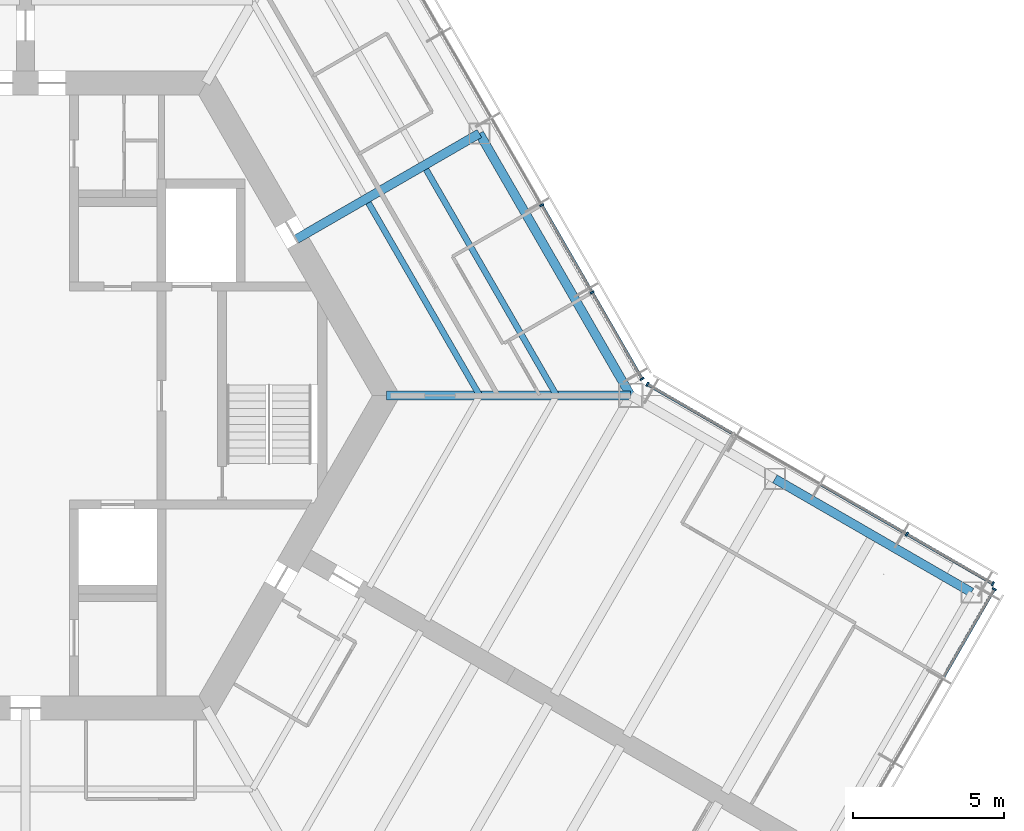
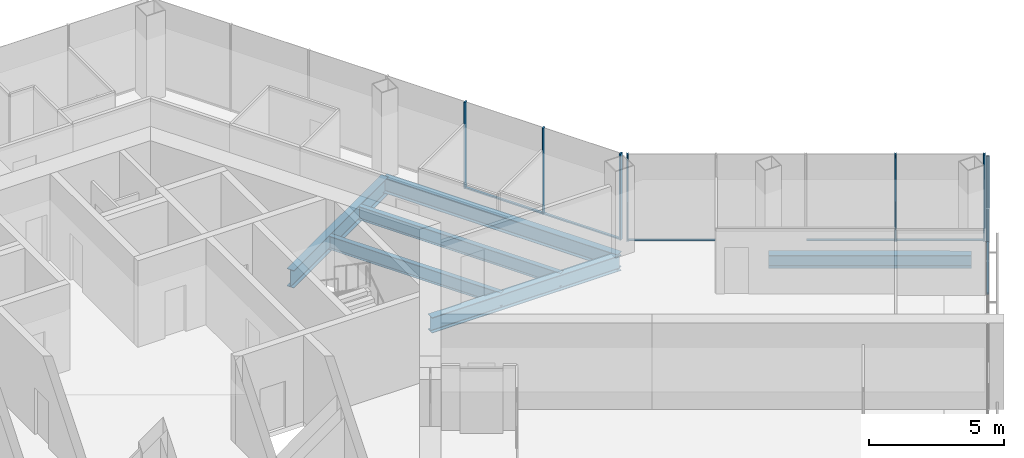
# One storey, part 5 of 17: 13 members, 6 beams, 3 elements without a shape of their own.
"""IFC4 building model written with IfcOpenShell, lengths in metres."""

from ifc_helpers import new_model, si_unit, direction, frame, origin, origin_2d, place, context, subcontext, project, spatial, rectangle, i_section, extrude, material, material_profile, profile_set, type_object, element, aggregate, save


model = new_model("IFC4")

# Units and contexts
model_context = context("Model", 3, precision=1e-05, world=origin(), true_north=direction((0.0, 1.0)))
body_context = subcontext(model_context, "Body", "Model", "MODEL_VIEW")
ifc_project = project(units=[si_unit("LENGTHUNIT", "METRE"), si_unit("AREAUNIT", "SQUARE_METRE"), si_unit("VOLUMEUNIT", "CUBIC_METRE"), si_unit("PLANEANGLEUNIT", "RADIAN"), si_unit("MASSUNIT", "GRAM", prefix="KILO")], contexts=[model_context])

# Site, building, storey
site_placement = place(None, origin())
site = spatial("IfcSite", under=ifc_project, at=site_placement, CompositionType="ELEMENT")
building_placement = place(site_placement, origin())
building = spatial("IfcBuilding", under=site, at=building_placement, Name="Kasaneha Research Tower", CompositionType="ELEMENT")
storey_placement = place(building_placement, frame((0.0, 0.0, 228.39990234375)))
storey = spatial("IfcBuildingStorey", under=building, at=storey_placement, Name="L57", CompositionType="ELEMENT", Elevation=228.39990234375)

# Beams
ifc_material_1 = material(Name="Steel SN490B", Category="steel")
ifc_material_profile_1 = material_profile(ifc_material_1, i_section(OverallWidth=0.199951171875, OverallDepth=0.60009765625, WebThickness=0.010986328125, FlangeThickness=0.01708984375, FilletRadius=0.012939453125, at=origin_2d()), Name="H-600x200x11x17")
ifc_profile_set_1 = profile_set([ifc_material_profile_1], Name="Steel SN490B")
beam_type_1 = type_object("IfcBeamType", Name="B1-3 secondary beam H-600x200x11x17", PredefinedType="JOIST", material=ifc_profile_set_1)
beam_1_placement = place(storey_placement, frame((15.010986328125, 0.0, -0.449951171875), z_axis=(-0.499994443168, 0.866028611999, 0.0), x_axis=(-0.866028611999, -0.499994443168, 0.0)))
element("IfcBeam", 1, at=beam_1_placement, inside=storey, type_object=beam_type_1, Name="Secondary beam RS030L1 L57", PredefinedType="JOIST", context=body_context, shape_type="SweptSolid", body=[
    extrude(i_section(OverallWidth=0.199951171875, OverallDepth=0.60009765625, WebThickness=0.010986328125, FlangeThickness=0.01708984375, FilletRadius=0.012939453125, at=origin_2d()), origin(), (0.0, 0.0, 1.0), 7.35546875),
])
beam_2_placement = place(storey_placement, frame((17.551513671875, 0.0, -0.449951171875), z_axis=(-0.5000050195, 0.866022505755, 0.0), x_axis=(-0.866022505755, -0.5000050195, 0.0)))
element("IfcBeam", 2, at=beam_2_placement, inside=storey, type_object=beam_type_1, Name="Secondary beam RS030L2 L57", PredefinedType="JOIST", context=body_context, shape_type="SweptSolid", body=[
    extrude(i_section(OverallWidth=0.199951171875, OverallDepth=0.60009765625, WebThickness=0.010986328125, FlangeThickness=0.01708984375, FilletRadius=0.012939453125, at=origin_2d()), origin(), (0.0, 0.0, 1.0), 8.6259765625),
])

# Curtain wall, members
ifc_material_2 = material(Name="Glass and aluminium", Category="aluminium")
curtain_wall_type = type_object("IfcCurtainWallType", Name="High-rise office curtain wall", PredefinedType="USERDEFINED", material=ifc_material_2)
curtain_wall_1_placement = place(storey_placement, origin())
curtain_wall_1 = element("IfcCurtainWall", 3, at=curtain_wall_1_placement, inside=storey, type_object=curtain_wall_type, Name="CW-O3 L57 run 01a", ObjectType="UNITISED CURTAIN WALL", PredefinedType="USERDEFINED")
ifc_material_3 = material(Name="Aluminium 6063-T6", Category="aluminium")
ifc_material_profile_2 = material_profile(ifc_material_3, rectangle(XDim=0.06005859375, YDim=0.139892578125, at=origin_2d()), Name="CW-O3 mullion 60x140")
ifc_profile_set_2 = profile_set([ifc_material_profile_2], Name="Aluminium 6063-T6")
member_type_1 = type_object("IfcMemberType", Name="CW-O3 mullion", PredefinedType="MULLION", material=ifc_profile_set_2)
member_1_placement = place(storey_placement, frame((20.374267578125, 0.5517578125, 0.0), z_axis=(0.0, 0.0, 1.0), x_axis=(-0.499999979232, 0.866025415775, 0.0)))
member_1 = element("IfcMember", 4, at=member_1_placement, type_object=member_type_1, Name="CW-O3 mullion 1", PredefinedType="MULLION", context=body_context, shape_type="SweptSolid", body=[
    extrude(rectangle(XDim=0.06005859375, YDim=0.139892578125, at=origin_2d()), origin(), (0.0, 0.0, 1.0), 3.900146484375),
])
member_2_placement = place(storey_placement, frame((18.723876953125, 3.410400390625, 0.0), z_axis=(0.0, 0.0, 1.0), x_axis=(-0.499999979232, 0.866025415775, 0.0)))
member_2 = element("IfcMember", 5, at=member_2_placement, type_object=member_type_1, Name="CW-O3 mullion 2", PredefinedType="MULLION", context=body_context, shape_type="SweptSolid", body=[
    extrude(rectangle(XDim=0.06005859375, YDim=0.139892578125, at=origin_2d()), origin(), (0.0, 0.0, 1.0), 3.900146484375),
])
member_3_placement = place(storey_placement, frame((17.058349609375, 6.295166015625, 0.0), z_axis=(0.0, 0.0, 1.0), x_axis=(-0.499999979232, 0.866025415775, 0.0)))
member_3 = element("IfcMember", 6, at=member_3_placement, type_object=member_type_1, Name="CW-O3 mullion 3", PredefinedType="MULLION", context=body_context, shape_type="SweptSolid", body=[
    extrude(rectangle(XDim=0.06005859375, YDim=0.139892578125, at=origin_2d()), origin(), (0.0, 0.0, 1.0), 3.900146484375),
])

# Curtain wall, member
curtain_wall_2_placement = place(storey_placement, origin())
curtain_wall_2 = element("IfcCurtainWall", 7, at=curtain_wall_2_placement, inside=storey, type_object=curtain_wall_type, Name="CW-O3 L57 run 08a", ObjectType="UNITISED CURTAIN WALL", PredefinedType="USERDEFINED")
member_4_placement = place(storey_placement, frame((32.012939453125, -6.39306640625, 0.0), z_axis=(0.0, 0.0, 1.0), x_axis=(0.500000011442, 0.866025397178, 0.0)))
member_4 = element("IfcMember", 8, at=member_4_placement, type_object=member_type_1, Name="CW-O3 mullion 4", PredefinedType="MULLION", context=body_context, shape_type="SweptSolid", body=[
    extrude(rectangle(XDim=0.06005859375, YDim=0.139892578125, at=origin_2d()), origin(), (0.0, 0.0, 1.0), 3.900146484375),
])

# Curtain wall, members
curtain_wall_3_placement = place(storey_placement, origin())
curtain_wall_3 = element("IfcCurtainWall", 9, at=curtain_wall_3_placement, inside=storey, type_object=curtain_wall_type, Name="CW-O3 L57 run 09a", ObjectType="UNITISED CURTAIN WALL", PredefinedType="USERDEFINED")
member_5_placement = place(storey_placement, frame((31.96533203125, -6.21533203125, 0.0), z_axis=(0.0, 0.0, 1.0), x_axis=(-0.866025411464, 0.499999986699, 0.0)))
member_5 = element("IfcMember", 10, at=member_5_placement, type_object=member_type_1, Name="CW-O3 mullion 1", PredefinedType="MULLION", context=body_context, shape_type="SweptSolid", body=[
    extrude(rectangle(XDim=0.06005859375, YDim=0.139892578125, at=origin_2d()), origin(), (0.0, 0.0, 1.0), 3.900146484375),
])
member_6_placement = place(storey_placement, frame((29.125, -4.575439453125, 0.0), z_axis=(0.0, 0.0, 1.0), x_axis=(-0.866025411464, 0.499999986699, 0.0)))
member_6 = element("IfcMember", 11, at=member_6_placement, type_object=member_type_1, Name="CW-O3 mullion 2", PredefinedType="MULLION", context=body_context, shape_type="SweptSolid", body=[
    extrude(rectangle(XDim=0.06005859375, YDim=0.139892578125, at=origin_2d()), origin(), (0.0, 0.0, 1.0), 3.900146484375),
])
member_7_placement = place(storey_placement, frame((20.5517578125, 0.374267578125, 0.0), z_axis=(0.0, 0.0, 1.0), x_axis=(-0.866025411464, 0.499999986699, 0.0)))
member_7 = element("IfcMember", 12, at=member_7_placement, type_object=member_type_1, Name="CW-O3 mullion 5", PredefinedType="MULLION", context=body_context, shape_type="SweptSolid", body=[
    extrude(rectangle(XDim=0.06005859375, YDim=0.139892578125, at=origin_2d()), origin(), (0.0, 0.0, 1.0), 3.900146484375),
])

# Member
ifc_material_4 = material(Name="Aluminium 6063-T6", Category="aluminium")
ifc_material_profile_3 = material_profile(ifc_material_4, rectangle(XDim=0.10009765625, YDim=0.06005859375, at=origin_2d()), Name="CW-O3 transom 100x60")
ifc_profile_set_3 = profile_set([ifc_material_profile_3], Name="Aluminium 6063-T6")
member_type_2 = type_object("IfcMemberType", Name="CW-O3 transom", PredefinedType="USERDEFINED", material=ifc_profile_set_3)
member_8_placement = place(storey_placement, frame((20.359130859375, 0.577880859375, 0.030029296875), z_axis=(-0.499987643696, 0.866032537582, 0.0), x_axis=(-0.866032537582, -0.499987643696, 0.0)))
member_8 = element("IfcMember", 13, at=member_8_placement, type_object=member_type_2, Name="CW-O3 transom 1", ObjectType="TRANSOM", PredefinedType="USERDEFINED", context=body_context, shape_type="SweptSolid", body=[
    extrude(rectangle(XDim=0.10009765625, YDim=0.06005859375, at=origin_2d()), origin(), (0.0, 0.0, 1.0), 3.24072265625),
])

member_9_placement = place(storey_placement, frame((18.708740234375, 3.4365234375, 0.030029296875), z_axis=(-0.500000270186, 0.866025247793, 0.0), x_axis=(-0.866025247793, -0.500000270186, 0.0)))
member_9 = element("IfcMember", 14, at=member_9_placement, type_object=member_type_2, Name="CW-O3 transom 2", ObjectType="TRANSOM", PredefinedType="USERDEFINED", context=body_context, shape_type="SweptSolid", body=[
    extrude(rectangle(XDim=0.10009765625, YDim=0.06005859375, at=origin_2d()), origin(), (0.0, 0.0, 1.0), 3.27099609375),
])

aggregate(curtain_wall_1, [member_1, member_2, member_3, member_8, member_9])

member_10_placement = place(storey_placement, frame((30.343017578125, -9.285400390625, 0.030029296875), z_axis=(0.500018282537, 0.866014848099, 0.0), x_axis=(-0.866014848099, 0.500018282537, 0.0)))
member_10 = element("IfcMember", 15, at=member_10_placement, type_object=member_type_2, Name="CW-O3 transom 3", ObjectType="TRANSOM", PredefinedType="USERDEFINED", context=body_context, shape_type="SweptSolid", body=[
    extrude(rectangle(XDim=0.10009765625, YDim=0.06005859375, at=origin_2d()), origin(), (0.0, 0.0, 1.0), 3.31005859375),
])

aggregate(curtain_wall_2, [member_4, member_10])

member_11_placement = place(storey_placement, frame((31.939453125, -6.200439453125, 0.030029296875), z_axis=(-0.866041647767, 0.499971863542, 0.0), x_axis=(-0.499971863542, -0.866041647767, 0.0)))
member_11 = element("IfcMember", 16, at=member_11_placement, type_object=member_type_2, Name="CW-O3 transom 1", ObjectType="TRANSOM", PredefinedType="USERDEFINED", context=body_context, shape_type="SweptSolid", body=[
    extrude(rectangle(XDim=0.10009765625, YDim=0.06005859375, at=origin_2d()), origin(), (0.0, 0.0, 1.0), 3.219970703125),
])

member_12_placement = place(storey_placement, frame((29.098876953125, -4.560546875, 0.030029296875), z_axis=(-0.86599666273, 0.500049777664, 0.0), x_axis=(-0.500049777664, -0.86599666273, 0.0)))
member_12 = element("IfcMember", 17, at=member_12_placement, type_object=member_type_2, Name="CW-O3 transom 2", ObjectType="TRANSOM", PredefinedType="USERDEFINED", context=body_context, shape_type="SweptSolid", body=[
    extrude(rectangle(XDim=0.10009765625, YDim=0.06005859375, at=origin_2d()), origin(), (0.0, 0.0, 1.0), 3.249755859375),
])

member_13_placement = place(storey_placement, frame((23.3662109375, -1.250732421875, 0.030029296875), z_axis=(-0.866022692473, 0.500004696101, 0.0), x_axis=(-0.500004696101, -0.866022692473, 0.0)))
member_13 = element("IfcMember", 18, at=member_13_placement, type_object=member_type_2, Name="CW-O3 transom 4", ObjectType="TRANSOM", PredefinedType="USERDEFINED", context=body_context, shape_type="SweptSolid", body=[
    extrude(rectangle(XDim=0.10009765625, YDim=0.06005859375, at=origin_2d()), origin(), (0.0, 0.0, 1.0), 3.2197265625),
])

aggregate(curtain_wall_3, [member_5, member_6, member_7, member_11, member_12, member_13])

# Beams
ifc_material_5 = material(Name="Steel SN490B", Category="steel")
ifc_material_profile_4 = material_profile(ifc_material_5, i_section(OverallWidth=0.300048828125, OverallDepth=0.699951171875, WebThickness=0.012939453125, FlangeThickness=0.02392578125, FilletRadius=0.01806640625, at=origin_2d()), Name="H-700x300x13x24")
ifc_profile_set_4 = profile_set([ifc_material_profile_4], Name="Steel SN490B")
beam_type_2 = type_object("IfcBeamType", Name="G1-3 radial girder H-700x300x13x24", PredefinedType="BEAM", material=ifc_profile_set_4)
beam_3_placement = place(storey_placement, frame((11.92236328125, 0.0, -0.5), z_axis=(1.0, 0.0, 0.0), x_axis=(0.0, 1.0, 0.0)))
element("IfcBeam", 19, at=beam_3_placement, inside=storey, type_object=beam_type_2, Name="Radial girder RV000 L57", PredefinedType="BEAM", context=body_context, shape_type="SweptSolid", body=[
    extrude(i_section(OverallWidth=0.300048828125, OverallDepth=0.699951171875, WebThickness=0.012939453125, FlangeThickness=0.02392578125, FilletRadius=0.01806640625, at=origin_2d()), origin(), (0.0, 0.0, 1.0), 8.07763671875),
])
ifc_material_6 = material(Name="Steel SN490B", Category="steel")
ifc_material_profile_5 = material_profile(ifc_material_6, i_section(OverallWidth=0.300048828125, OverallDepth=0.800048828125, WebThickness=0.013916015625, FlangeThickness=0.02587890625, FilletRadius=0.01806640625, at=origin_2d()), Name="H-800x300x14x26")
ifc_profile_set_5 = profile_set([ifc_material_profile_5], Name="Steel SN490B")
beam_type_3 = type_object("IfcBeamType", Name="G2-3 radial girder H-800x300x14x26", PredefinedType="BEAM", material=ifc_profile_set_5)
beam_4_placement = place(storey_placement, frame((8.941650390625, 5.16259765625, -0.5498046875), z_axis=(0.866039713508, 0.499975214012, 0.0), x_axis=(-0.499975214012, 0.866039713508, 0.0)))
element("IfcBeam", 20, at=beam_4_placement, inside=storey, type_object=beam_type_3, Name="Radial girder RM030 L57", PredefinedType="BEAM", context=body_context, shape_type="SweptSolid", body=[
    extrude(i_section(OverallWidth=0.300048828125, OverallDepth=0.800048828125, WebThickness=0.013916015625, FlangeThickness=0.02587890625, FilletRadius=0.01806640625, at=origin_2d()), origin(), (0.0, 0.0, 1.0), 6.995361328125),
])
ifc_material_7 = material(Name="Steel SN490B", Category="steel")
ifc_material_profile_6 = material_profile(ifc_material_7, i_section(OverallWidth=0.300048828125, OverallDepth=0.69189453125, WebThickness=0.012939453125, FlangeThickness=0.02001953125, FilletRadius=0.01806640625, at=origin_2d()), Name="H-692x300x13x20")
ifc_profile_set_6 = profile_set([ifc_material_profile_6], Name="Steel SN490B")
beam_type_4 = type_object("IfcBeamType", Name="SB1-3 spandrel beam H-692x300x13x20", PredefinedType="SPANDREL", material=ifc_profile_set_6)
beam_5_placement = place(storey_placement, frame((20.0, 0.0, -0.495849609375), z_axis=(-0.500004234368, 0.866022959057, 0.0), x_axis=(-0.866022959057, -0.500004234368, 0.0)))
element("IfcBeam", 21, at=beam_5_placement, inside=storey, type_object=beam_type_4, Name="Spandrel beam SR030L L57", PredefinedType="SPANDREL", context=body_context, shape_type="SweptSolid", body=[
    extrude(i_section(OverallWidth=0.300048828125, OverallDepth=0.69189453125, WebThickness=0.012939453125, FlangeThickness=0.02001953125, FilletRadius=0.01806640625, at=origin_2d()), origin(), (0.0, 0.0, 1.0), 10.0),
])
ifc_material_8 = material(Name="Steel SN490B", Category="steel")
ifc_material_profile_7 = material_profile(ifc_material_8, i_section(OverallWidth=0.300048828125, OverallDepth=0.58203125, WebThickness=0.011962890625, FlangeThickness=0.01708984375, FilletRadius=0.012939453125, at=origin_2d()), Name="H-582x300x12x17")
ifc_profile_set_7 = profile_set([ifc_material_profile_7], Name="Steel SN490B")
beam_type_5 = type_object("IfcBeamType", Name="SB2-3 spandrel beam H-582x300x12x17", PredefinedType="SPANDREL", material=ifc_profile_set_7)
beam_6_placement = place(storey_placement, frame((24.76318359375, -2.75, -0.44091796875), z_axis=(0.866022959057, -0.500004234368, 0.0), x_axis=(0.500004234368, 0.866022959057, 0.0)))
element("IfcBeam", 22, at=beam_6_placement, inside=storey, type_object=beam_type_5, Name="Spandrel beam WSCN2 L57", PredefinedType="SPANDREL", context=body_context, shape_type="SweptSolid", body=[
    extrude(i_section(OverallWidth=0.300048828125, OverallDepth=0.58203125, WebThickness=0.011962890625, FlangeThickness=0.01708984375, FilletRadius=0.012939453125, at=origin_2d()), origin(), (0.0, 0.0, 1.0), 7.5),
])

save(model, "model.ifc")
